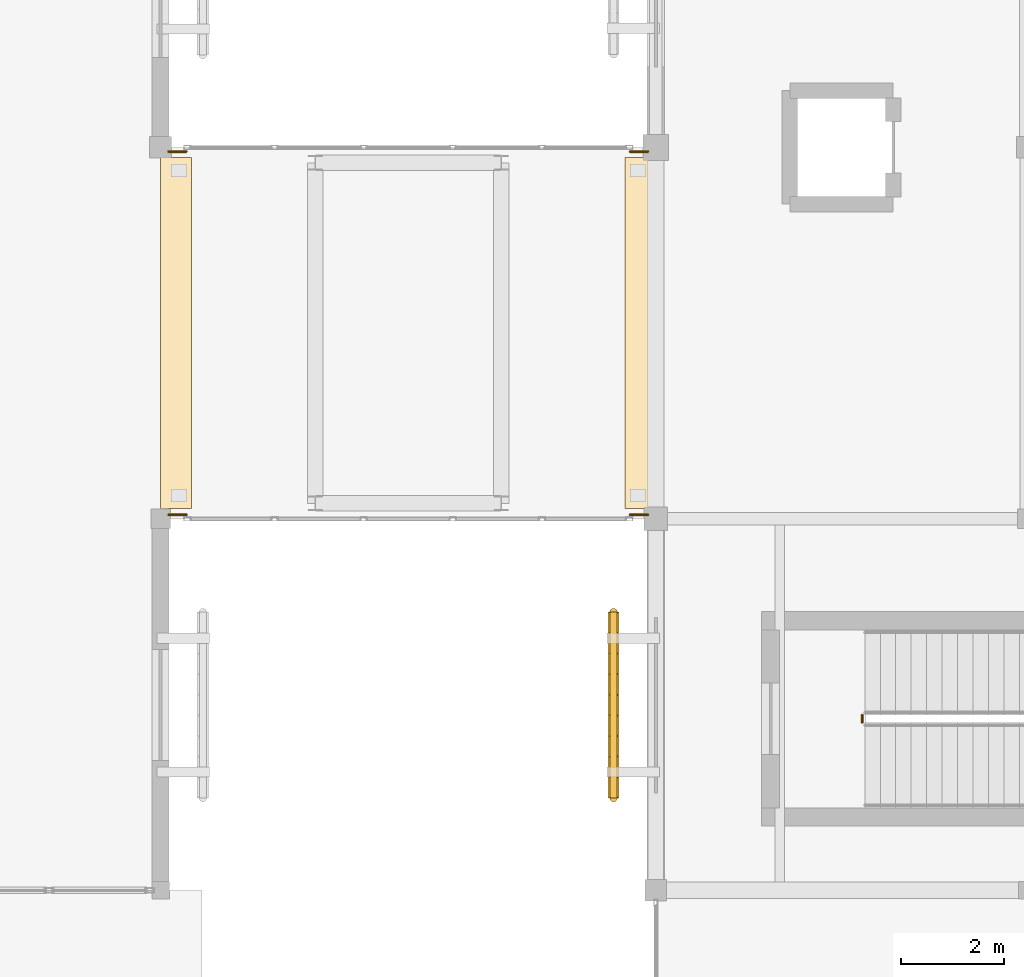
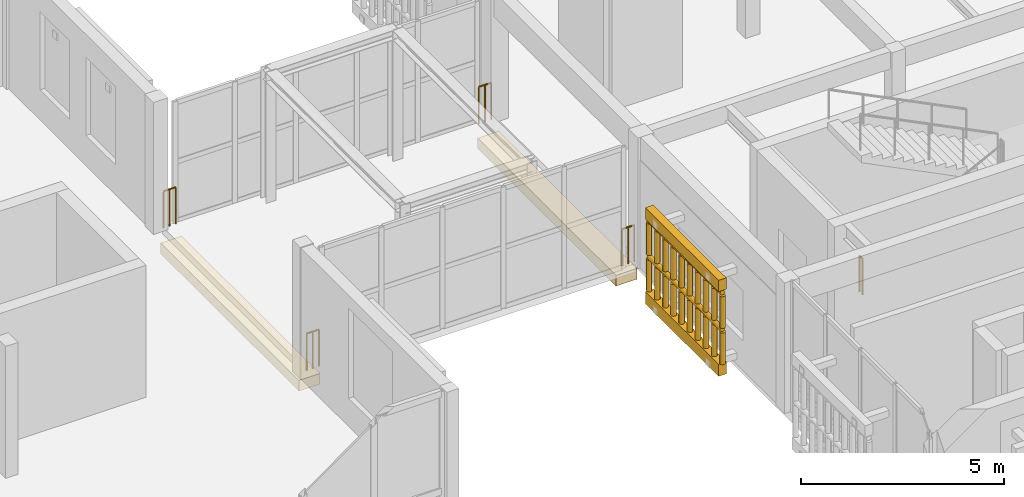
# One storey, part 202 of 217: 7 railings, 4 coverings.
"""IFC4 building model written with IfcOpenShell, lengths in metres."""

from ifc_helpers import new_model, si_unit, direction, frame, origin, origin_2d, place, context, subcontext, project, spatial, polyline, circle, outline, extrude, material, layer, layer_set, type_object, element, save


model = new_model("IFC4")

# Units and contexts
model_context = context("Model", 3, precision=1e-05, world=origin(), true_north=direction((0.0, 1.0)))
body_context = subcontext(model_context, "Body", "Model", "MODEL_VIEW")
ifc_project = project(units=[si_unit("LENGTHUNIT", "METRE"), si_unit("AREAUNIT", "SQUARE_METRE"), si_unit("VOLUMEUNIT", "CUBIC_METRE"), si_unit("PLANEANGLEUNIT", "RADIAN"), si_unit("MASSUNIT", "GRAM", prefix="KILO")], contexts=[model_context])

# Site, building, storey
site_placement = place(None, origin())
site = spatial("IfcSite", under=ifc_project, at=site_placement, CompositionType="ELEMENT")
building_placement = place(site_placement, origin())
building = spatial("IfcBuilding", under=site, at=building_placement, Name="Mazaris Harbour Polytechnic", CompositionType="ELEMENT")
storey_placement = place(building_placement, frame((0.0, 0.0, 9.60009765625)))
storey = spatial("IfcBuildingStorey", under=building, at=storey_placement, Name="L02", CompositionType="ELEMENT", Elevation=9.60009765625)

# Coverings
ifc_material_1 = material(Name="Concrete C40/50", Category="concrete")
ifc_layer_1 = layer(ifc_material_1, 0.320068359375, Name="Concrete C40/50")
ifc_layer_set_1 = layer_set([ifc_layer_1], Name="Concrete C40/50")
covering_type_1 = type_object("IfcCoveringType", Name="Bridge Bearing Corbel 600 Exterior", PredefinedType="CLADDING", material=ifc_layer_set_1)
covering_1_placement = place(storey_placement, frame((0.0, 0.0, -0.650146484375)))
element("IfcCovering", 1, at=covering_1_placement, inside=storey, type_object=covering_type_1, Name="PB-E1 L02 600mm Bridge Bearing Seat Corbel W", PredefinedType="CLADDING", context=body_context, shape_type="SweptSolid", body=[
    extrude(outline(polyline([(112.800048828125, 21.800048828125), (113.39990234375, 21.800048828125), (113.39990234375, 28.60009765625), (112.800048828125, 28.60009765625), (112.800048828125, 21.800048828125)])), origin(), (0.0, 0.0, 1.0), 0.320068359375),
])
covering_2_placement = place(storey_placement, frame((0.0, 0.0, -0.650146484375)))
element("IfcCovering", 2, at=covering_2_placement, inside=storey, type_object=covering_type_1, Name="PB-E1 L02 600mm Bridge Bearing Seat Corbel E", PredefinedType="CLADDING", context=body_context, shape_type="SweptSolid", body=[
    extrude(outline(polyline([(121.800048828125, 21.800048828125), (122.39990234375, 21.800048828125), (122.39990234375, 28.60009765625), (121.800048828125, 28.60009765625), (121.800048828125, 21.800048828125)])), origin(), (0.0, 0.0, 1.0), 0.320068359375),
])

# Railings
ifc_material_2 = material(Name="Steel S355", Category="steel")
railing_type_1 = type_object("IfcRailingType", Name="Mezzanine Steel Guardrail 1100 Exterior", PredefinedType="GUARDRAIL", material=ifc_material_2)
for number, where, name in (
    (3, (112.949951171875, 21.679931640625, 0.0), "PB-E1 L02 Bridge End Guard W0"),
    (4, (121.89990234375, 21.679931640625, 0.0), "PB-E1 L02 Bridge End Guard E0"),
    (5, (112.949951171875, 28.719970703125, 0.0), "PB-E1 L02 Bridge End Guard W1"),
    (6, (121.89990234375, 28.719970703125, 0.0), "PB-E1 L02 Bridge End Guard E1"),
):
    element("IfcRailing", number, at=place(storey_placement, frame(where)), inside=storey, type_object=railing_type_1, Name=name, PredefinedType="GUARDRAIL", context=body_context, shape_type="SweptSolid", body=[
        extrude(circle(Radius=0.02392578125, at=origin_2d()), frame((0.0, 0.0, 1.09619140625), z_axis=(1.0, 0.0, 0.0), x_axis=(0.0, 1.0, 0.0)), (0.0, 0.0, 1.0), 0.35009765625),
        extrude(circle(Radius=0.02099609375, at=origin_2d()), origin(), (0.0, 0.0, 1.0), 1.072021484375),
        extrude(circle(Radius=0.02099609375, at=origin_2d()), frame((0.175048828125, 0.0, 0.0)), (0.0, 0.0, 1.0), 1.072021484375),
        extrude(circle(Radius=0.02099609375, at=origin_2d()), frame((0.35009765625, 0.0, 0.0)), (0.0, 0.0, 1.0), 1.072021484375),
    ])
ifc_material_3 = material(Name="Perforated Earth-Coloured Terracotta Block", Category="masonry")
railing_type_2 = type_object("IfcRailingType", Name="Perforated Earth-Block Claustra Lattice 1040", PredefinedType="BALUSTRADE", material=ifc_material_3)
for number, where, name in (
    (7, (121.580078125, 16.18994140625, 0.52001953125), "V2 L02 Lower Perforated Terracotta Block Screen 81"),
    (8, (121.580078125, 16.18994140625, 1.60986328125), "V2 L02 Upper Perforated Terracotta Block Screen 81"),
):
    element("IfcRailing", number, at=place(storey_placement, frame(where)), inside=storey, type_object=railing_type_2, Name=name, PredefinedType="BALUSTRADE", context=body_context, shape_type="SweptSolid", body=[
        extrude(circle(Radius=0.06982421875, at=origin_2d()), frame((0.0, 0.0, 1.02001953125), z_axis=(0.0, 1.0, 0.0), x_axis=(-1.0, 0.0, 0.0)), (0.0, 0.0, 1.0), 3.60009765625),
        extrude(circle(Radius=0.074951171875, at=origin_2d()), origin(), (0.0, 0.0, 1.0), 0.9501953125),
        extrude(circle(Radius=0.074951171875, at=origin_2d()), frame((0.0, 0.39990234375, 0.0)), (0.0, 0.0, 1.0), 0.9501953125),
        extrude(circle(Radius=0.074951171875, at=origin_2d()), frame((0.0, 0.800048828125, 0.0)), (0.0, 0.0, 1.0), 0.9501953125),
        extrude(circle(Radius=0.074951171875, at=origin_2d()), frame((0.0, 1.199951171875, 0.0)), (0.0, 0.0, 1.0), 0.9501953125),
        extrude(circle(Radius=0.074951171875, at=origin_2d()), frame((0.0, 1.60009765625, 0.0)), (0.0, 0.0, 1.0), 0.9501953125),
        extrude(circle(Radius=0.074951171875, at=origin_2d()), frame((0.0, 2.0, 0.0)), (0.0, 0.0, 1.0), 0.9501953125),
        extrude(circle(Radius=0.074951171875, at=origin_2d()), frame((0.0, 2.400146484375, 0.0)), (0.0, 0.0, 1.0), 0.9501953125),
        extrude(circle(Radius=0.074951171875, at=origin_2d()), frame((0.0, 2.800048828125, 0.0)), (0.0, 0.0, 1.0), 0.9501953125),
        extrude(circle(Radius=0.074951171875, at=origin_2d()), frame((0.0, 3.2001953125, 0.0)), (0.0, 0.0, 1.0), 0.9501953125),
        extrude(circle(Radius=0.074951171875, at=origin_2d()), frame((0.0, 3.60009765625, 0.0)), (0.0, 0.0, 1.0), 0.9501953125),
    ])
ifc_material_4 = material(Name="Steel S355", Category="steel")
railing_type_3 = type_object("IfcRailingType", Name="Stair Well Guardrail 1100", PredefinedType="GUARDRAIL", material=ifc_material_4)
railing_placement = place(storey_placement, frame((126.39990234375, 17.64990234375, 0.0)))
element("IfcRailing", 9, at=railing_placement, inside=storey, type_object=railing_type_3, Name="L02 ST03 stair guard 4", PredefinedType="GUARDRAIL", context=body_context, shape_type="SweptSolid", body=[
    extrude(circle(Radius=0.02392578125, at=origin_2d()), frame((0.0, 0.0, 1.076171875), z_axis=(0.0, 1.0, 0.0), x_axis=(-1.0, 0.0, 0.0)), (0.0, 0.0, 1.0), 0.150146484375),
    extrude(circle(Radius=0.02099609375, at=origin_2d()), origin(), (0.0, 0.0, 1.0), 1.052001953125),
    extrude(circle(Radius=0.02099609375, at=origin_2d()), frame((0.0, 0.150146484375, 0.0)), (0.0, 0.0, 1.0), 1.052001953125),
])

# Coverings
ifc_material_5 = material(Name="Perforated Earth-Coloured Terracotta Block", Category="masonry")
ifc_layer_2 = layer(ifc_material_5, 0.219970703125, Name="Perforated Earth-Coloured Terracotta Block")
ifc_layer_set_2 = layer_set([ifc_layer_2], Name="Perforated Earth-Coloured Terracotta Block")
covering_type_2 = type_object("IfcCoveringType", Name="Terracotta Screen Course Cladding 220", PredefinedType="CLADDING", material=ifc_layer_set_2)
covering_3_placement = place(storey_placement, frame((0.0, 0.0, 0.159912109375)))
element("IfcCovering", 10, at=covering_3_placement, inside=storey, type_object=covering_type_2, Name="V2 L02 Perforated Screen Sill Course 81", PredefinedType="CLADDING", context=body_context, shape_type="SweptSolid", body=[
    extrude(outline(polyline([(121.68994140625, 16.18994140625), (121.68994140625, 19.7900390625), (121.469970703125, 19.7900390625), (121.469970703125, 16.18994140625), (121.68994140625, 16.18994140625)])), origin(), (0.0, 0.0, 1.0), 0.360107421875),
])
covering_4_placement = place(storey_placement, frame((0.0, 0.0, 2.699951171875)))
element("IfcCovering", 11, at=covering_4_placement, inside=storey, type_object=covering_type_2, Name="V2 L02 Perforated Screen Lintel Course 81", PredefinedType="CLADDING", context=body_context, shape_type="SweptSolid", body=[
    extrude(outline(polyline([(121.68994140625, 16.18994140625), (121.68994140625, 19.7900390625), (121.469970703125, 19.7900390625), (121.469970703125, 16.18994140625), (121.68994140625, 16.18994140625)])), origin(), (0.0, 0.0, 1.0), 0.33984375),
])

save(model, "model.ifc")
